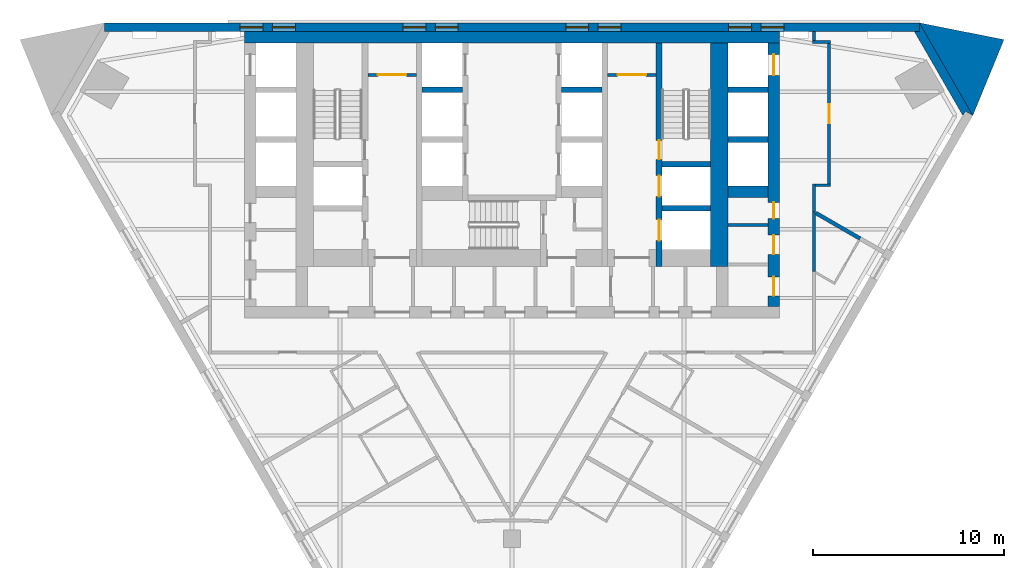
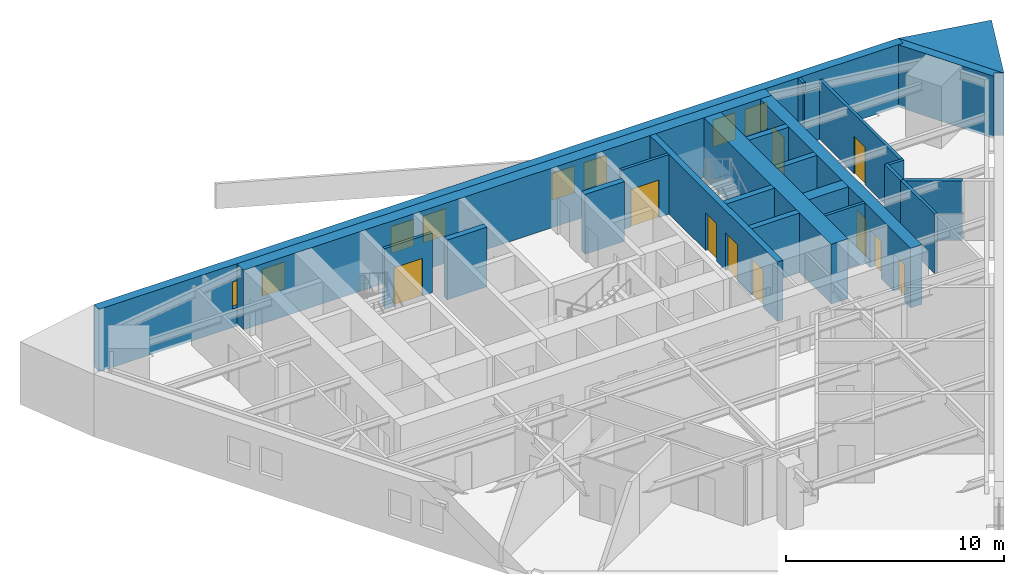
# One storey, part 6 of 10: 24 walls, 10 doors, 8 windows, 18 openings.
"""IFC4 building model written with IfcOpenShell, lengths in metres."""

from ifc_helpers import new_model, si_unit, direction, frame, frame_2d, origin, place, context, subcontext, project, spatial, polyline, rectangle, outline, extrude, material, layer, layer_set, type_object, element, fill, save


model = new_model("IFC4")

# Units and contexts
model_context = context("Model", 3, precision=1e-05, world=origin(), true_north=direction((0.0, 1.0)))
body_context = subcontext(model_context, "Body", "Model", "MODEL_VIEW")
ifc_project = project(units=[si_unit("LENGTHUNIT", "METRE"), si_unit("AREAUNIT", "SQUARE_METRE"), si_unit("VOLUMEUNIT", "CUBIC_METRE"), si_unit("PLANEANGLEUNIT", "RADIAN"), si_unit("MASSUNIT", "GRAM", prefix="KILO")], contexts=[model_context])

# Site, building, storey
site_placement = place(None, origin())
site = spatial("IfcSite", under=ifc_project, at=site_placement, CompositionType="ELEMENT")
building_placement = place(site_placement, origin())
building = spatial("IfcBuilding", under=site, at=building_placement, Name="Aloe Facet Convention Tower", CompositionType="ELEMENT")
storey_placement = place(building_placement, frame((0.0, 0.0, 85.300048828125)))
storey = spatial("IfcBuildingStorey", under=building, at=storey_placement, Name="L20", CompositionType="ELEMENT", Elevation=85.300048828125)

# Wall, opening, door
ifc_material_1 = material(Name="Concrete blockwork partition", Category="masonry")
ifc_layer_1 = layer(ifc_material_1, 0.14990234375)
ifc_layer_set_1 = layer_set([ifc_layer_1], Name="CR-W-PART150")
wall_type_1 = type_object("IfcWallType", Name="CR-W-PART150", PredefinedType="PARTITIONING", material=ifc_layer_set_1)
wall_1_placement = place(storey_placement, frame((72.449951171875, 132.27490234375, 0.0), z_axis=(0.0, 0.0, 1.0), x_axis=(1.0, 0.0, 0.0)))
wall_1 = element("IfcWall", 1, at=wall_1_placement, inside=storey, type_object=wall_type_1, Name="Core partition L20-015", PredefinedType="PARTITIONING", context=body_context, shape_type="SweptSolid", body=[
    extrude(rectangle(XDim=2.550048828125, YDim=0.14990234375, at=frame_2d((1.27490234375, 0.0))), origin(), (0.0, 0.0, 1.0), 3.349853515625),
])
opening_1_placement = place(wall_1_placement, frame((0.52490234375, 0.0, 0.0)))
opening_1 = element("IfcOpeningElement", 2, at=opening_1_placement, cuts=wall_1, Name="Opening L20-CD22", PredefinedType="OPENING", context=body_context, shape_type="SweptSolid", body=[
    extrude(rectangle(XDim=1.5, YDim=2.10009765625, at=frame_2d((0.75, 1.050048828125))), frame((0.0, 0.0849609375, 0.0), z_axis=(0.0, -1.0, 0.0), x_axis=(1.0, 0.0, 0.0)), (0.0, 0.0, 1.0), 0.169921875),
])
ifc_material_2 = material(Name="Steel fire-resisting door set FD60", Category="steel")
door_type_1 = type_object("IfcDoorType", Name="CR-D-REFUGE-1500-FD60-DD", OperationType="DOUBLE_DOOR_DOUBLE_SWING", PredefinedType="DOOR", material=ifc_material_2)
door_1_placement = place(opening_1_placement, origin())
door_1 = element("IfcDoor", 3, at=door_1_placement, inside=storey, type_object=door_type_1, Name="Core door L20-CD22", OperationType="DOUBLE_DOOR_DOUBLE_SWING", OverallHeight=2.10009765625, OverallWidth=1.5, PredefinedType="DOOR", context=body_context, shape_type="SweptSolid", body=[
    extrude(rectangle(XDim=1.5, YDim=2.10009765625, at=frame_2d((0.75, 1.050048828125))), frame((0.0, 0.02490234375, 0.0), z_axis=(0.0, -1.0, 0.0), x_axis=(1.0, 0.0, 0.0)), (0.0, 0.0, 1.0), 0.050048828125),
])
fill(opening_1, door_1)

wall_2_placement = place(storey_placement, frame((85.0, 132.27490234375, 0.0), z_axis=(0.0, 0.0, 1.0), x_axis=(1.0, 0.0, 0.0)))
wall_2 = element("IfcWall", 4, at=wall_2_placement, inside=storey, type_object=wall_type_1, Name="Core partition L20-039", PredefinedType="PARTITIONING", context=body_context, shape_type="SweptSolid", body=[
    extrude(rectangle(XDim=2.550048828125, YDim=0.14990234375, at=frame_2d((1.27490234375, 0.0))), origin(), (0.0, 0.0, 1.0), 3.349853515625),
])
opening_2_placement = place(wall_2_placement, frame((0.52490234375, 0.0, 0.0)))
opening_2 = element("IfcOpeningElement", 5, at=opening_2_placement, cuts=wall_2, Name="Opening L20-CD21", PredefinedType="OPENING", context=body_context, shape_type="SweptSolid", body=[
    extrude(rectangle(XDim=1.5, YDim=2.10009765625, at=frame_2d((0.75, 1.050048828125))), frame((0.0, 0.0849609375, 0.0), z_axis=(0.0, -1.0, 0.0), x_axis=(1.0, 0.0, 0.0)), (0.0, 0.0, 1.0), 0.169921875),
])
door_2_placement = place(opening_2_placement, origin())
door_2 = element("IfcDoor", 6, at=door_2_placement, inside=storey, type_object=door_type_1, Name="Core door L20-CD21", OperationType="DOUBLE_DOOR_DOUBLE_SWING", OverallHeight=2.10009765625, OverallWidth=1.5, PredefinedType="DOOR", context=body_context, shape_type="SweptSolid", body=[
    extrude(rectangle(XDim=1.5, YDim=2.10009765625, at=frame_2d((0.75, 1.050048828125))), frame((0.0, 0.02490234375, 0.0), z_axis=(0.0, -1.0, 0.0), x_axis=(1.0, 0.0, 0.0)), (0.0, 0.0, 1.0), 0.050048828125),
])
fill(opening_2, door_2)

# Walls
wall_3_placement = place(storey_placement, frame((91.300048828125, 124.425048828125, 0.0), z_axis=(0.0, 0.0, 1.0), x_axis=(1.0, 0.0, 0.0)))
element("IfcWall", 7, at=wall_3_placement, inside=storey, type_object=wall_type_1, Name="Core partition L20-053", PredefinedType="PARTITIONING", context=body_context, shape_type="SweptSolid", body=[
    extrude(rectangle(XDim=2.099853515625, YDim=0.14990234375, at=frame_2d((1.0498046875, 0.0))), origin(), (0.0, 0.0, 1.0), 3.349853515625),
])
ifc_material_3 = material(Name="Concrete C70/85", Category="concrete")
ifc_layer_2 = layer(ifc_material_3, 0.300048828125)
ifc_layer_set_2 = layer_set([ifc_layer_2], Name="CR-W-RC300-C7085")
wall_type_2 = type_object("IfcWallType", Name="CR-W-RC300-C7085", PredefinedType="SOLIDWALL", material=ifc_layer_set_2)
for number, where, z_axis, x_axis, name in (
    (8, (75.300048828125, 131.5, 0.0), (0.0, 0.0, 1.0), (1.0, 0.0, 0.0), "Core wall L20-020"),
    (9, (82.60009765625, 131.5, 0.0), (0.0, 0.0, 1.0), (1.0, 0.0, 0.0), "Core wall L20-032"),
):
    element("IfcWall", number, at=place(storey_placement, frame(where, z_axis=z_axis, x_axis=x_axis)), inside=storey, type_object=wall_type_2, Name=name, PredefinedType="SOLIDWALL", context=body_context, shape_type="SweptSolid", body=[
        extrude(rectangle(XDim=2.099853515625, YDim=0.300048828125, at=frame_2d((1.0498046875, 0.0))), origin(), (0.0, 0.0, 1.0), 3.349853515625),
    ])

# Wall, openings, doors
wall_4_placement = place(storey_placement, frame((87.699951171875, 133.949951171875, 0.0), z_axis=(0.0, 0.0, 1.0), x_axis=(0.0, -1.0, 0.0)))
wall_4 = element("IfcWall", 10, at=wall_4_placement, inside=storey, type_object=wall_type_2, Name="Core wall L20-043", PredefinedType="SOLIDWALL", context=body_context, shape_type="SweptSolid", body=[
    extrude(rectangle(XDim=11.699951171875, YDim=0.300048828125, at=frame_2d((5.85009765625, 0.0))), origin(), (0.0, 0.0, 1.0), 3.349853515625),
])
opening_3_placement = place(wall_4_placement, frame((6.949951171875, 0.0, 0.0)))
opening_3 = element("IfcOpeningElement", 11, at=opening_3_placement, cuts=wall_4, Name="Opening LD-FF2-L20", PredefinedType="OPENING", context=body_context, shape_type="SweptSolid", body=[
    extrude(rectangle(XDim=1.10009765625, YDim=2.10009765625, at=frame_2d((0.550048828125, 1.050048828125))), frame((0.0, 0.16015625, 0.0), z_axis=(0.0, -1.0, 0.0), x_axis=(1.0, 0.0, 0.0)), (0.0, 0.0, 1.0), 0.320068359375),
])
opening_4_placement = place(wall_4_placement, frame((5.10009765625, 0.0, 0.0)))
opening_4 = element("IfcOpeningElement", 12, at=opening_4_placement, cuts=wall_4, Name="Opening L20-CD32", PredefinedType="OPENING", context=body_context, shape_type="SweptSolid", body=[
    extrude(rectangle(XDim=1.0, YDim=2.10009765625, at=frame_2d((0.5, 1.050048828125))), frame((0.0, 0.16015625, 0.0), z_axis=(0.0, -1.0, 0.0), x_axis=(1.0, 0.0, 0.0)), (0.0, 0.0, 1.0), 0.320068359375),
])
opening_5_placement = place(wall_4_placement, frame((9.25, 0.0, 0.0)))
opening_5 = element("IfcOpeningElement", 13, at=opening_5_placement, cuts=wall_4, Name="Opening LD-SV1-L20", PredefinedType="OPENING", context=body_context, shape_type="SweptSolid", body=[
    extrude(rectangle(XDim=1.10009765625, YDim=2.10009765625, at=frame_2d((0.550048828125, 1.050048828125))), frame((0.0, 0.16015625, 0.0), z_axis=(0.0, -1.0, 0.0), x_axis=(1.0, 0.0, 0.0)), (0.0, 0.0, 1.0), 0.320068359375),
])
ifc_material_4 = material(Name="Steel fire-resisting door set FD120", Category="steel")
door_type_2 = type_object("IfcDoorType", Name="CR-D-STAIR-1000-FD120-SLEFT", OperationType="SINGLE_SWING_LEFT", PredefinedType="DOOR", material=ifc_material_4)
door_3_placement = place(opening_4_placement, origin())
door_3 = element("IfcDoor", 14, at=door_3_placement, inside=storey, type_object=door_type_2, Name="Core door L20-CD32", OperationType="SINGLE_SWING_LEFT", OverallHeight=2.10009765625, OverallWidth=1.0, PredefinedType="DOOR", context=body_context, shape_type="SweptSolid", body=[
    extrude(rectangle(XDim=1.0, YDim=2.10009765625, at=frame_2d((0.5, 1.050048828125))), frame((0.0, 0.02490234375, 0.0), z_axis=(0.0, -1.0, 0.0), x_axis=(1.0, 0.0, 0.0)), (0.0, 0.0, 1.0), 0.050048828125),
])
fill(opening_4, door_3)
ifc_material_5 = material(Name="Stainless steel sliding landing door", Category="steel")
door_type_3 = type_object("IfcDoorType", Name="CR-LD-1100-FD120-_LEFT", OperationType="SLIDING_TO_LEFT", PredefinedType="DOOR", material=ifc_material_5)
door_4_placement = place(opening_3_placement, origin())
door_4 = element("IfcDoor", 15, at=door_4_placement, inside=storey, type_object=door_type_3, Name="Landing door FF2 L20", OperationType="SLIDING_TO_LEFT", OverallHeight=2.10009765625, OverallWidth=1.10009765625, PredefinedType="DOOR", context=body_context, shape_type="SweptSolid", body=[
    extrude(rectangle(XDim=1.10009765625, YDim=2.10009765625, at=frame_2d((0.550048828125, 1.050048828125))), frame((0.0, 0.02490234375, 0.0), z_axis=(0.0, -1.0, 0.0), x_axis=(1.0, 0.0, 0.0)), (0.0, 0.0, 1.0), 0.050048828125),
])
fill(opening_3, door_4)
door_5_placement = place(opening_5_placement, origin())
door_5 = element("IfcDoor", 16, at=door_5_placement, inside=storey, type_object=door_type_3, Name="Landing door SV1 L20", OperationType="SLIDING_TO_LEFT", OverallHeight=2.10009765625, OverallWidth=1.10009765625, PredefinedType="DOOR", context=body_context, shape_type="SweptSolid", body=[
    extrude(rectangle(XDim=1.10009765625, YDim=2.10009765625, at=frame_2d((0.550048828125, 1.050048828125))), frame((0.0, 0.02490234375, 0.0), z_axis=(0.0, -1.0, 0.0), x_axis=(1.0, 0.0, 0.0)), (0.0, 0.0, 1.0), 0.050048828125),
])
fill(opening_5, door_5)

# Walls
for number, where, z_axis, x_axis, name in (
    (17, (87.85009765625, 127.60009765625, 0.0), (0.0, 0.0, 1.0), (1.0, 0.0, 0.0), "Core wall L20-044"),
    (18, (87.85009765625, 125.300048828125, 0.0), (0.0, 0.0, 1.0), (1.0, 0.0, 0.0), "Core wall L20-045"),
):
    element("IfcWall", number, at=place(storey_placement, frame(where, z_axis=z_axis, x_axis=x_axis)), inside=storey, type_object=wall_type_2, Name=name, PredefinedType="SOLIDWALL", context=body_context, shape_type="SweptSolid", body=[
        extrude(rectangle(XDim=2.5498046875, YDim=0.300048828125, at=frame_2d((1.27490234375, 0.0))), origin(), (0.0, 0.0, 1.0), 3.349853515625),
    ])
for number, where, z_axis, x_axis, name in (
    (19, (91.300048828125, 131.5, 0.0), (0.0, 0.0, 1.0), (1.0, 0.0, 0.0), "Core wall L20-050"),
    (20, (91.300048828125, 128.89990234375, 0.0), (0.0, 0.0, 1.0), (1.0, 0.0, 0.0), "Core wall L20-051"),
):
    element("IfcWall", number, at=place(storey_placement, frame(where, z_axis=z_axis, x_axis=x_axis)), inside=storey, type_object=wall_type_2, Name=name, PredefinedType="SOLIDWALL", context=body_context, shape_type="SweptSolid", body=[
        extrude(rectangle(XDim=2.099853515625, YDim=0.300048828125, at=frame_2d((1.0498046875, 0.0))), origin(), (0.0, 0.0, 1.0), 3.349853515625),
    ])
ifc_material_6 = material(Name="Concrete C70/85", Category="concrete")
ifc_layer_3 = layer(ifc_material_6, 0.60009765625)
ifc_layer_set_3 = layer_set([ifc_layer_3], Name="CR-W-RC600-C7085")
wall_type_3 = type_object("IfcWallType", Name="CR-W-RC600-C7085", PredefinedType="SOLIDWALL", material=ifc_layer_set_3)
wall_5_placement = place(storey_placement, frame((66.0, 134.25, 0.0), z_axis=(0.0, 0.0, 1.0), x_axis=(1.0, 0.0, 0.0)))
element("IfcWall", 21, at=wall_5_placement, inside=storey, type_object=wall_type_3, Name="Core wall L20-001", PredefinedType="SOLIDWALL", context=body_context, shape_type="SweptSolid", body=[
    extrude(rectangle(XDim=28.0, YDim=0.60009765625, at=frame_2d((14.0, 0.0))), origin(), (0.0, 0.0, 1.0), 3.349853515625),
])
wall_6_placement = place(storey_placement, frame((91.300048828125, 126.14990234375, 0.0), z_axis=(0.0, 0.0, 1.0), x_axis=(1.0, 0.0, 0.0)))
element("IfcWall", 22, at=wall_6_placement, inside=storey, type_object=wall_type_3, Name="Core wall L20-052", PredefinedType="SOLIDWALL", context=body_context, shape_type="SweptSolid", body=[
    extrude(rectangle(XDim=2.099853515625, YDim=0.60009765625, at=frame_2d((1.0498046875, 0.0))), origin(), (0.0, 0.0, 1.0), 3.349853515625),
])

# Wall, openings, doors
wall_7_placement = place(storey_placement, frame((93.699951171875, 133.949951171875, 0.0), z_axis=(0.0, 0.0, 1.0), x_axis=(0.0, -1.0, 0.0)))
wall_7 = element("IfcWall", 23, at=wall_7_placement, inside=storey, type_object=wall_type_3, Name="Core wall L20-055", PredefinedType="SOLIDWALL", context=body_context, shape_type="SweptSolid", body=[
    extrude(rectangle(XDim=13.800048828125, YDim=0.60009765625, at=frame_2d((6.89990234375, 0.0))), origin(), (0.0, 0.0, 1.0), 3.349853515625),
])
opening_6_placement = place(wall_7_placement, frame((0.60009765625, 0.0, 0.0)))
opening_6 = element("IfcOpeningElement", 24, at=opening_6_placement, cuts=wall_7, Name="Opening LD-A8-L20", PredefinedType="OPENING", context=body_context, shape_type="SweptSolid", body=[
    extrude(rectangle(XDim=1.10009765625, YDim=2.10009765625, at=frame_2d((0.550048828125, 1.050048828125))), frame((0.0, 0.31005859375, 0.0), z_axis=(0.0, -1.0, 0.0), x_axis=(1.0, 0.0, 0.0)), (0.0, 0.0, 1.0), 0.6201171875),
])
opening_7_placement = place(wall_7_placement, frame((10.064208984375, 0.0, 0.0)))
opening_7 = element("IfcOpeningElement", 25, at=opening_7_placement, cuts=wall_7, Name="Opening L20-CD09", PredefinedType="OPENING", context=body_context, shape_type="SweptSolid", body=[
    extrude(rectangle(XDim=1.0, YDim=2.10009765625, at=frame_2d((0.5, 1.050048828125))), frame((0.0, 0.31005859375, 0.0), z_axis=(0.0, -1.0, 0.0), x_axis=(1.0, 0.0, 0.0)), (0.0, 0.0, 1.0), 0.6201171875),
])
opening_8_placement = place(wall_7_placement, frame((8.35009765625, 0.0, 0.0)))
opening_8 = element("IfcOpeningElement", 26, at=opening_8_placement, cuts=wall_7, Name="Opening L20-CD10", PredefinedType="OPENING", context=body_context, shape_type="SweptSolid", body=[
    extrude(rectangle(XDim=0.85009765625, YDim=2.10009765625, at=frame_2d((0.425048828125, 1.050048828125))), frame((0.0, 0.31005859375, 0.0), z_axis=(0.0, -1.0, 0.0), x_axis=(1.0, 0.0, 0.0)), (0.0, 0.0, 1.0), 0.6201171875),
])
opening_9_placement = place(wall_7_placement, frame((12.2392578125, 0.0, 0.0)))
opening_9 = element("IfcOpeningElement", 27, at=opening_9_placement, cuts=wall_7, Name="Opening L20-CD11", PredefinedType="OPENING", context=body_context, shape_type="SweptSolid", body=[
    extrude(rectangle(XDim=1.0, YDim=2.10009765625, at=frame_2d((0.5, 1.050048828125))), frame((0.0, 0.31005859375, 0.0), z_axis=(0.0, -1.0, 0.0), x_axis=(1.0, 0.0, 0.0)), (0.0, 0.0, 1.0), 0.6201171875),
])
ifc_material_7 = material(Name="Steel fire-resisting door set FD60", Category="steel")
door_type_4 = type_object("IfcDoorType", Name="CR-D-ROOM-1000-FD60-SLEFT", OperationType="SINGLE_SWING_LEFT", PredefinedType="DOOR", material=ifc_material_7)
door_6_placement = place(opening_7_placement, origin())
door_6 = element("IfcDoor", 28, at=door_6_placement, inside=storey, type_object=door_type_4, Name="Core door L20-CD09", OperationType="SINGLE_SWING_LEFT", OverallHeight=2.10009765625, OverallWidth=1.0, PredefinedType="DOOR", context=body_context, shape_type="SweptSolid", body=[
    extrude(rectangle(XDim=1.0, YDim=2.10009765625, at=frame_2d((0.5, 1.050048828125))), frame((0.0, 0.02490234375, 0.0), z_axis=(0.0, -1.0, 0.0), x_axis=(1.0, 0.0, 0.0)), (0.0, 0.0, 1.0), 0.050048828125),
])
fill(opening_7, door_6)
door_7_placement = place(opening_9_placement, origin())
door_7 = element("IfcDoor", 29, at=door_7_placement, inside=storey, type_object=door_type_4, Name="Core door L20-CD11", OperationType="SINGLE_SWING_LEFT", OverallHeight=2.10009765625, OverallWidth=1.0, PredefinedType="DOOR", context=body_context, shape_type="SweptSolid", body=[
    extrude(rectangle(XDim=1.0, YDim=2.10009765625, at=frame_2d((0.5, 1.050048828125))), frame((0.0, 0.02490234375, 0.0), z_axis=(0.0, -1.0, 0.0), x_axis=(1.0, 0.0, 0.0)), (0.0, 0.0, 1.0), 0.050048828125),
])
fill(opening_9, door_7)
ifc_material_8 = material(Name="Steel fire-resisting door set FD60", Category="steel")
door_type_5 = type_object("IfcDoorType", Name="CR-D-ROOM-850-FD60-SLEFT", OperationType="SINGLE_SWING_LEFT", PredefinedType="DOOR", material=ifc_material_8)
door_8_placement = place(opening_8_placement, origin())
door_8 = element("IfcDoor", 30, at=door_8_placement, inside=storey, type_object=door_type_5, Name="Core door L20-CD10", OperationType="SINGLE_SWING_LEFT", OverallHeight=2.10009765625, OverallWidth=0.85009765625, PredefinedType="DOOR", context=body_context, shape_type="SweptSolid", body=[
    extrude(rectangle(XDim=0.85009765625, YDim=2.10009765625, at=frame_2d((0.425048828125, 1.050048828125))), frame((0.0, 0.02490234375, 0.0), z_axis=(0.0, -1.0, 0.0), x_axis=(1.0, 0.0, 0.0)), (0.0, 0.0, 1.0), 0.050048828125),
])
fill(opening_8, door_8)
ifc_material_9 = material(Name="Stainless steel sliding landing door", Category="steel")
door_type_6 = type_object("IfcDoorType", Name="CR-LD-1100-FD60-_LEFT", OperationType="SLIDING_TO_LEFT", PredefinedType="DOOR", material=ifc_material_9)
door_9_placement = place(opening_6_placement, origin())
door_9 = element("IfcDoor", 31, at=door_9_placement, inside=storey, type_object=door_type_6, Name="Landing door A8 L20", OperationType="SLIDING_TO_LEFT", OverallHeight=2.10009765625, OverallWidth=1.10009765625, PredefinedType="DOOR", context=body_context, shape_type="SweptSolid", body=[
    extrude(rectangle(XDim=1.10009765625, YDim=2.10009765625, at=frame_2d((0.550048828125, 1.050048828125))), frame((0.0, 0.02490234375, 0.0), z_axis=(0.0, -1.0, 0.0), x_axis=(1.0, 0.0, 0.0)), (0.0, 0.0, 1.0), 0.050048828125),
])
fill(opening_6, door_9)

# Walls
ifc_material_10 = material(Name="Concrete C70/85", Category="concrete")
ifc_layer_4 = layer(ifc_material_10, 0.89990234375)
ifc_layer_set_4 = layer_set([ifc_layer_4], Name="CR-W-RC900-C7085")
wall_type_4 = type_object("IfcWallType", Name="CR-W-RC900-C7085", PredefinedType="SOLIDWALL", material=ifc_layer_set_4)
wall_8_placement = place(storey_placement, frame((90.85009765625, 133.949951171875, 0.0), z_axis=(0.0, 0.0, 1.0), x_axis=(0.0, -1.0, 0.0)))
element("IfcWall", 32, at=wall_8_placement, inside=storey, type_object=wall_type_4, Name="Core wall L20-048", PredefinedType="SOLIDWALL", context=body_context, shape_type="SweptSolid", body=[
    extrude(rectangle(XDim=11.699951171875, YDim=0.89990234375, at=frame_2d((5.85009765625, 0.0))), origin(), (0.0, 0.0, 1.0), 3.349853515625),
])
ifc_material_11 = material(Name="Precast concrete C40/50", Category="concrete")
ifc_layer_5 = layer(ifc_material_11, 0.449951171875)
ifc_layer_set_5 = layer_set([ifc_layer_5], Name="EV-WALL-PIER")
wall_type_5 = type_object("IfcWallType", Name="EV-WALL-PIER", PredefinedType="SOLIDWALL", material=ifc_layer_set_5)
wall_9_placement = place(storey_placement, frame((0.0, 0.0, -0.150146484375)))
element("IfcWall", 33, at=wall_9_placement, inside=storey, type_object=wall_type_5, Name="EP-L20-C", PredefinedType="SOLIDWALL", context=body_context, shape_type="SweptSolid", body=[
    extrude(outline(polyline([(104.12158203125, 130.150146484375), (103.73193359375, 130.375244140625), (103.601806640625, 130.150146484375), (101.061767578125, 134.550048828125), (101.321533203125, 134.550048828125), (101.321533203125, 135.0), (104.12158203125, 130.150146484375)])), origin(), (0.0, 0.0, 1.0), 3.5),
])
ifc_material_12 = material(Name="Precast concrete C40/50", Category="concrete")
ifc_layer_6 = layer(ifc_material_12, 3.947998046875)
ifc_layer_set_6 = layer_set([ifc_layer_6], Name="EV-WALL-SPINE")
wall_type_6 = type_object("IfcWallType", Name="EV-WALL-SPINE", PredefinedType="SOLIDWALL", material=ifc_layer_set_6)
wall_10_placement = place(storey_placement, frame((0.0, 0.0, -0.150146484375)))
element("IfcWall", 34, at=wall_10_placement, inside=storey, type_object=wall_type_6, Name="SP-NE-L20", PredefinedType="SOLIDWALL", context=body_context, shape_type="SweptSolid", body=[
    extrude(outline(polyline([(104.12158203125, 130.150146484375), (105.75244140625, 134.122314453125), (101.321533203125, 135.0), (104.12158203125, 130.150146484375)])), origin(), (0.0, 0.0, 1.0), 3.5),
])

# Wall, openings, windows
ifc_material_13 = material(Name="Precast concrete C40/50", Category="concrete")
ifc_layer_7 = layer(ifc_material_13, 0.449951171875)
ifc_layer_set_7 = layer_set([ifc_layer_7], Name="EV-WALL-STONE")
wall_type_7 = type_object("IfcWallType", Name="EV-WALL-STONE", PredefinedType="SOLIDWALL", material=ifc_layer_set_7)
wall_11_placement = place(storey_placement, frame((101.321533203125, 134.77490234375, -0.150146484375), z_axis=(0.0, 0.0, 1.0), x_axis=(-1.0, 0.0, 0.0)))
wall_11 = element("IfcWall", 35, at=wall_11_placement, inside=storey, type_object=wall_type_7, Name="EW-L20-N01", PredefinedType="SOLIDWALL", context=body_context, shape_type="SweptSolid", body=[
    extrude(outline(polyline([(42.64306640625, 0.0), (42.64306640625, 3.5), (0.0, 3.5), (0.0, 0.0), (42.64306640625, 0.0)])), frame((0.0, 0.22509765625, 0.0), z_axis=(0.0, -1.0, 0.0), x_axis=(1.0, 0.0, 0.0)), (0.0, 0.0, 1.0), 0.449951171875),
])
opening_10_placement = place(wall_11_placement, frame((7.07861328125, 0.0, 1.050048828125)))
opening_10 = element("IfcOpeningElement", 36, at=opening_10_placement, cuts=wall_11, Name="Opening W-L20-N01", PredefinedType="OPENING", context=body_context, shape_type="SweptSolid", body=[
    extrude(rectangle(XDim=1.199951171875, YDim=1.5, at=frame_2d((0.60009765625, 0.75))), frame((0.0, 0.23486328125, 0.0), z_axis=(0.0, -1.0, 0.0), x_axis=(1.0, 0.0, 0.0)), (0.0, 0.0, 1.0), 0.469970703125),
])
opening_11_placement = place(wall_11_placement, frame((8.778564453125, 0.0, 1.050048828125)))
opening_11 = element("IfcOpeningElement", 37, at=opening_11_placement, cuts=wall_11, Name="Opening W-L20-N02", PredefinedType="OPENING", context=body_context, shape_type="SweptSolid", body=[
    extrude(rectangle(XDim=1.199951171875, YDim=1.5, at=frame_2d((0.60009765625, 0.75))), frame((0.0, 0.23486328125, 0.0), z_axis=(0.0, -1.0, 0.0), x_axis=(1.0, 0.0, 0.0)), (0.0, 0.0, 1.0), 0.469970703125),
])
opening_12_placement = place(wall_11_placement, frame((15.607177734375, 0.0, 1.050048828125)))
opening_12 = element("IfcOpeningElement", 38, at=opening_12_placement, cuts=wall_11, Name="Opening W-L20-N03", PredefinedType="OPENING", context=body_context, shape_type="SweptSolid", body=[
    extrude(rectangle(XDim=1.199951171875, YDim=1.5, at=frame_2d((0.60009765625, 0.75))), frame((0.0, 0.23486328125, 0.0), z_axis=(0.0, -1.0, 0.0), x_axis=(1.0, 0.0, 0.0)), (0.0, 0.0, 1.0), 0.469970703125),
])
opening_13_placement = place(wall_11_placement, frame((17.30712890625, 0.0, 1.050048828125)))
opening_13 = element("IfcOpeningElement", 39, at=opening_13_placement, cuts=wall_11, Name="Opening W-L20-N04", PredefinedType="OPENING", context=body_context, shape_type="SweptSolid", body=[
    extrude(rectangle(XDim=1.199951171875, YDim=1.5, at=frame_2d((0.60009765625, 0.75))), frame((0.0, 0.23486328125, 0.0), z_axis=(0.0, -1.0, 0.0), x_axis=(1.0, 0.0, 0.0)), (0.0, 0.0, 1.0), 0.469970703125),
])
opening_14_placement = place(wall_11_placement, frame((24.1357421875, 0.0, 1.050048828125)))
opening_14 = element("IfcOpeningElement", 40, at=opening_14_placement, cuts=wall_11, Name="Opening W-L20-N05", PredefinedType="OPENING", context=body_context, shape_type="SweptSolid", body=[
    extrude(rectangle(XDim=1.199951171875, YDim=1.5, at=frame_2d((0.60009765625, 0.75))), frame((0.0, 0.23486328125, 0.0), z_axis=(0.0, -1.0, 0.0), x_axis=(1.0, 0.0, 0.0)), (0.0, 0.0, 1.0), 0.469970703125),
])
opening_15_placement = place(wall_11_placement, frame((25.8359375, 0.0, 1.050048828125)))
opening_15 = element("IfcOpeningElement", 41, at=opening_15_placement, cuts=wall_11, Name="Opening W-L20-N06", PredefinedType="OPENING", context=body_context, shape_type="SweptSolid", body=[
    extrude(rectangle(XDim=1.199951171875, YDim=1.5, at=frame_2d((0.60009765625, 0.75))), frame((0.0, 0.23486328125, 0.0), z_axis=(0.0, -1.0, 0.0), x_axis=(1.0, 0.0, 0.0)), (0.0, 0.0, 1.0), 0.469970703125),
])
opening_16_placement = place(wall_11_placement, frame((32.66455078125, 0.0, 1.050048828125)))
opening_16 = element("IfcOpeningElement", 42, at=opening_16_placement, cuts=wall_11, Name="Opening W-L20-N07", PredefinedType="OPENING", context=body_context, shape_type="SweptSolid", body=[
    extrude(rectangle(XDim=1.199951171875, YDim=1.5, at=frame_2d((0.60009765625, 0.75))), frame((0.0, 0.23486328125, 0.0), z_axis=(0.0, -1.0, 0.0), x_axis=(1.0, 0.0, 0.0)), (0.0, 0.0, 1.0), 0.469970703125),
])
opening_17_placement = place(wall_11_placement, frame((34.364501953125, 0.0, 1.050048828125)))
opening_17 = element("IfcOpeningElement", 43, at=opening_17_placement, cuts=wall_11, Name="Opening W-L20-N08", PredefinedType="OPENING", context=body_context, shape_type="SweptSolid", body=[
    extrude(rectangle(XDim=1.199951171875, YDim=1.5, at=frame_2d((0.60009765625, 0.75))), frame((0.0, 0.23486328125, 0.0), z_axis=(0.0, -1.0, 0.0), x_axis=(1.0, 0.0, 0.0)), (0.0, 0.0, 1.0), 0.469970703125),
])
ifc_material_14 = material(Name="Aluminium frame, clear double glazing", Category="aluminium")
window_type = type_object("IfcWindowType", Name="EV-WIN-H12", PartitioningType="SINGLE_PANEL", PredefinedType="WINDOW", material=ifc_material_14)
window_1_placement = place(opening_10_placement, origin())
window_1 = element("IfcWindow", 44, at=window_1_placement, inside=storey, type_object=window_type, Name="W-L20-N01", OverallHeight=1.5, OverallWidth=1.199951171875, PartitioningType="SINGLE_PANEL", PredefinedType="WINDOW", context=body_context, shape_type="SweptSolid", body=[
    extrude(rectangle(XDim=1.199951171875, YDim=1.5, at=frame_2d((0.60009765625, 0.75))), frame((0.0, 0.030029296875, 0.0), z_axis=(0.0, -1.0, 0.0), x_axis=(1.0, 0.0, 0.0)), (0.0, 0.0, 1.0), 0.06005859375),
])
fill(opening_10, window_1)
window_2_placement = place(opening_11_placement, origin())
window_2 = element("IfcWindow", 45, at=window_2_placement, inside=storey, type_object=window_type, Name="W-L20-N02", OverallHeight=1.5, OverallWidth=1.199951171875, PartitioningType="SINGLE_PANEL", PredefinedType="WINDOW", context=body_context, shape_type="SweptSolid", body=[
    extrude(rectangle(XDim=1.199951171875, YDim=1.5, at=frame_2d((0.60009765625, 0.75))), frame((0.0, 0.030029296875, 0.0), z_axis=(0.0, -1.0, 0.0), x_axis=(1.0, 0.0, 0.0)), (0.0, 0.0, 1.0), 0.06005859375),
])
fill(opening_11, window_2)
window_3_placement = place(opening_12_placement, origin())
window_3 = element("IfcWindow", 46, at=window_3_placement, inside=storey, type_object=window_type, Name="W-L20-N03", OverallHeight=1.5, OverallWidth=1.199951171875, PartitioningType="SINGLE_PANEL", PredefinedType="WINDOW", context=body_context, shape_type="SweptSolid", body=[
    extrude(rectangle(XDim=1.199951171875, YDim=1.5, at=frame_2d((0.60009765625, 0.75))), frame((0.0, 0.030029296875, 0.0), z_axis=(0.0, -1.0, 0.0), x_axis=(1.0, 0.0, 0.0)), (0.0, 0.0, 1.0), 0.06005859375),
])
fill(opening_12, window_3)
window_4_placement = place(opening_13_placement, origin())
window_4 = element("IfcWindow", 47, at=window_4_placement, inside=storey, type_object=window_type, Name="W-L20-N04", OverallHeight=1.5, OverallWidth=1.199951171875, PartitioningType="SINGLE_PANEL", PredefinedType="WINDOW", context=body_context, shape_type="SweptSolid", body=[
    extrude(rectangle(XDim=1.199951171875, YDim=1.5, at=frame_2d((0.60009765625, 0.75))), frame((0.0, 0.030029296875, 0.0), z_axis=(0.0, -1.0, 0.0), x_axis=(1.0, 0.0, 0.0)), (0.0, 0.0, 1.0), 0.06005859375),
])
fill(opening_13, window_4)
window_5_placement = place(opening_14_placement, origin())
window_5 = element("IfcWindow", 48, at=window_5_placement, inside=storey, type_object=window_type, Name="W-L20-N05", OverallHeight=1.5, OverallWidth=1.199951171875, PartitioningType="SINGLE_PANEL", PredefinedType="WINDOW", context=body_context, shape_type="SweptSolid", body=[
    extrude(rectangle(XDim=1.199951171875, YDim=1.5, at=frame_2d((0.60009765625, 0.75))), frame((0.0, 0.030029296875, 0.0), z_axis=(0.0, -1.0, 0.0), x_axis=(1.0, 0.0, 0.0)), (0.0, 0.0, 1.0), 0.06005859375),
])
fill(opening_14, window_5)
window_6_placement = place(opening_15_placement, origin())
window_6 = element("IfcWindow", 49, at=window_6_placement, inside=storey, type_object=window_type, Name="W-L20-N06", OverallHeight=1.5, OverallWidth=1.199951171875, PartitioningType="SINGLE_PANEL", PredefinedType="WINDOW", context=body_context, shape_type="SweptSolid", body=[
    extrude(rectangle(XDim=1.199951171875, YDim=1.5, at=frame_2d((0.60009765625, 0.75))), frame((0.0, 0.030029296875, 0.0), z_axis=(0.0, -1.0, 0.0), x_axis=(1.0, 0.0, 0.0)), (0.0, 0.0, 1.0), 0.06005859375),
])
fill(opening_15, window_6)
window_7_placement = place(opening_16_placement, origin())
window_7 = element("IfcWindow", 50, at=window_7_placement, inside=storey, type_object=window_type, Name="W-L20-N07", OverallHeight=1.5, OverallWidth=1.199951171875, PartitioningType="SINGLE_PANEL", PredefinedType="WINDOW", context=body_context, shape_type="SweptSolid", body=[
    extrude(rectangle(XDim=1.199951171875, YDim=1.5, at=frame_2d((0.60009765625, 0.75))), frame((0.0, 0.030029296875, 0.0), z_axis=(0.0, -1.0, 0.0), x_axis=(1.0, 0.0, 0.0)), (0.0, 0.0, 1.0), 0.06005859375),
])
fill(opening_16, window_7)
window_8_placement = place(opening_17_placement, origin())
window_8 = element("IfcWindow", 51, at=window_8_placement, inside=storey, type_object=window_type, Name="W-L20-N08", OverallHeight=1.5, OverallWidth=1.199951171875, PartitioningType="SINGLE_PANEL", PredefinedType="WINDOW", context=body_context, shape_type="SweptSolid", body=[
    extrude(rectangle(XDim=1.199951171875, YDim=1.5, at=frame_2d((0.60009765625, 0.75))), frame((0.0, 0.030029296875, 0.0), z_axis=(0.0, -1.0, 0.0), x_axis=(1.0, 0.0, 0.0)), (0.0, 0.0, 1.0), 0.06005859375),
])
fill(opening_17, window_8)

# Walls
ifc_material_15 = material(Name="Gypsum board partition on steel studs", Category="steel")
ifc_layer_8 = layer(ifc_material_15, 0.14990234375)
ifc_layer_set_8 = layer_set([ifc_layer_8], Name="IN-W-CORR")
wall_type_8 = type_object("IfcWallType", Name="IN-W-CORR", PredefinedType="PARTITIONING", material=ifc_layer_set_8)
wall_12_placement = place(storey_placement, frame((95.800048828125, 121.989013671875, 0.0), z_axis=(0.0, 0.0, 1.0), x_axis=(0.0, 1.0, 0.0)))
element("IfcWall", 52, at=wall_12_placement, inside=storey, type_object=wall_type_8, Name="Partition L20-W051", PredefinedType="PARTITIONING", context=body_context, shape_type="SweptSolid", body=[
    extrude(rectangle(XDim=3.11767578125, YDim=0.14990234375, at=frame_2d((1.558837890625, 0.0))), origin(), (0.0, 0.0, 1.0), 3.349853515625),
])
wall_13_placement = place(storey_placement, frame((95.800048828125, 125.106689453125, 0.0), z_axis=(0.0, 0.0, 1.0), x_axis=(0.0, 1.0, 0.0)))
element("IfcWall", 53, at=wall_13_placement, inside=storey, type_object=wall_type_8, Name="Partition L20-W058", PredefinedType="PARTITIONING", context=body_context, shape_type="SweptSolid", body=[
    extrude(rectangle(XDim=1.46826171875, YDim=0.14990234375, at=frame_2d((0.734130859375, 0.0))), origin(), (0.0, 0.0, 1.0), 3.349853515625),
])
wall_14_placement = place(storey_placement, frame((95.875, 126.5, 0.0), z_axis=(0.0, 0.0, 1.0), x_axis=(1.0, 0.0, 0.0)))
element("IfcWall", 54, at=wall_14_placement, inside=storey, type_object=wall_type_8, Name="Partition L20-W059", PredefinedType="PARTITIONING", context=body_context, shape_type="SweptSolid", body=[
    extrude(rectangle(XDim=0.800048828125, YDim=0.14990234375, at=frame_2d((0.39990234375, 0.0))), origin(), (0.0, 0.0, 1.0), 3.349853515625),
])
wall_15_placement = place(storey_placement, frame((95.72509765625, 134.0, 0.0), z_axis=(0.0, 0.0, 1.0), x_axis=(1.0, 0.0, 0.0)))
element("IfcWall", 55, at=wall_15_placement, inside=storey, type_object=wall_type_8, Name="Partition L20-W062", PredefinedType="PARTITIONING", context=body_context, shape_type="SweptSolid", body=[
    extrude(rectangle(XDim=0.949951171875, YDim=0.14990234375, at=frame_2d((0.47509765625, 0.0))), origin(), (0.0, 0.0, 1.0), 2.886474609375),
])

# Wall, opening, door
wall_16_placement = place(storey_placement, frame((96.60009765625, 126.574951171875, 0.0), z_axis=(0.0, 0.0, 1.0), x_axis=(0.0, 1.0, 0.0)))
wall_16 = element("IfcWall", 56, at=wall_16_placement, inside=storey, type_object=wall_type_8, Name="Partition L20-W063", PredefinedType="PARTITIONING", context=body_context, shape_type="SweptSolid", body=[
    extrude(rectangle(XDim=7.35009765625, YDim=0.14990234375, at=frame_2d((3.675048828125, 0.0))), origin(), (0.0, 0.0, 1.0), 3.349853515625),
])
opening_18_placement = place(wall_16_placement, frame((3.175048828125, 0.0, 0.0)))
opening_18 = element("IfcOpeningElement", 57, at=opening_18_placement, cuts=wall_16, Name="Opening L20-008", PredefinedType="OPENING", context=body_context, shape_type="SweptSolid", body=[
    extrude(rectangle(XDim=1.0, YDim=2.10009765625, at=frame_2d((0.5, 1.050048828125))), frame((0.0, 0.0849609375, 0.0), z_axis=(0.0, -1.0, 0.0), x_axis=(1.0, 0.0, 0.0)), (0.0, 0.0, 1.0), 0.169921875),
])
ifc_material_16 = material(Name="Hardwood flush door FD30S", Category="wood")
door_type_7 = type_object("IfcDoorType", Name="IN-D-WIDE", OperationType="SINGLE_SWING_LEFT", PredefinedType="DOOR", material=ifc_material_16)
door_10_placement = place(opening_18_placement, origin())
door_10 = element("IfcDoor", 58, at=door_10_placement, inside=storey, type_object=door_type_7, Name="Door L20-008", OperationType="SINGLE_SWING_LEFT", OverallHeight=2.10009765625, OverallWidth=1.0, PredefinedType="DOOR", context=body_context, shape_type="SweptSolid", body=[
    extrude(rectangle(XDim=1.0, YDim=2.10009765625, at=frame_2d((0.5, 1.050048828125))), frame((0.0, 0.02490234375, 0.0), z_axis=(0.0, -1.0, 0.0), x_axis=(1.0, 0.0, 0.0)), (0.0, 0.0, 1.0), 0.050048828125),
])
fill(opening_18, door_10)

# Walls
wall_17_placement = place(storey_placement, frame((95.800048828125, 134.074951171875, 0.0), z_axis=(0.0, 0.0, 1.0), x_axis=(0.0, 1.0, 0.0)))
element("IfcWall", 59, at=wall_17_placement, inside=storey, type_object=wall_type_8, Name="Partition L20-W064", PredefinedType="PARTITIONING", context=body_context, shape_type="SweptSolid", body=[
    extrude(rectangle(XDim=0.465087890625, YDim=0.14990234375, at=frame_2d((0.232421875, 0.0))), origin(), (0.0, 0.0, 1.0), 3.349853515625),
])
ifc_material_17 = material(Name="Gypsum board partition on steel studs", Category="steel")
ifc_layer_9 = layer(ifc_material_17, 0.199951171875)
ifc_layer_set_9 = layer_set([ifc_layer_9], Name="IN-W-PARTY")
wall_type_9 = type_object("IfcWallType", Name="IN-W-PARTY", PredefinedType="PARTITIONING", material=ifc_layer_set_9)
wall_18_placement = place(storey_placement, frame((95.908203125, 125.044189453125, 0.0), z_axis=(0.0, 0.0, 1.0), x_axis=(0.866036091453, -0.499981487958, 0.0)))
element("IfcWall", 60, at=wall_18_placement, inside=storey, type_object=wall_type_9, Name="Partition L20-W055", PredefinedType="PARTITIONING", context=body_context, shape_type="SweptSolid", body=[
    extrude(rectangle(XDim=2.6650390625, YDim=0.199951171875, at=frame_2d((1.33251953125, 0.0))), origin(), (0.0, 0.0, 1.0), 3.349853515625),
])

save(model, "model.ifc")
